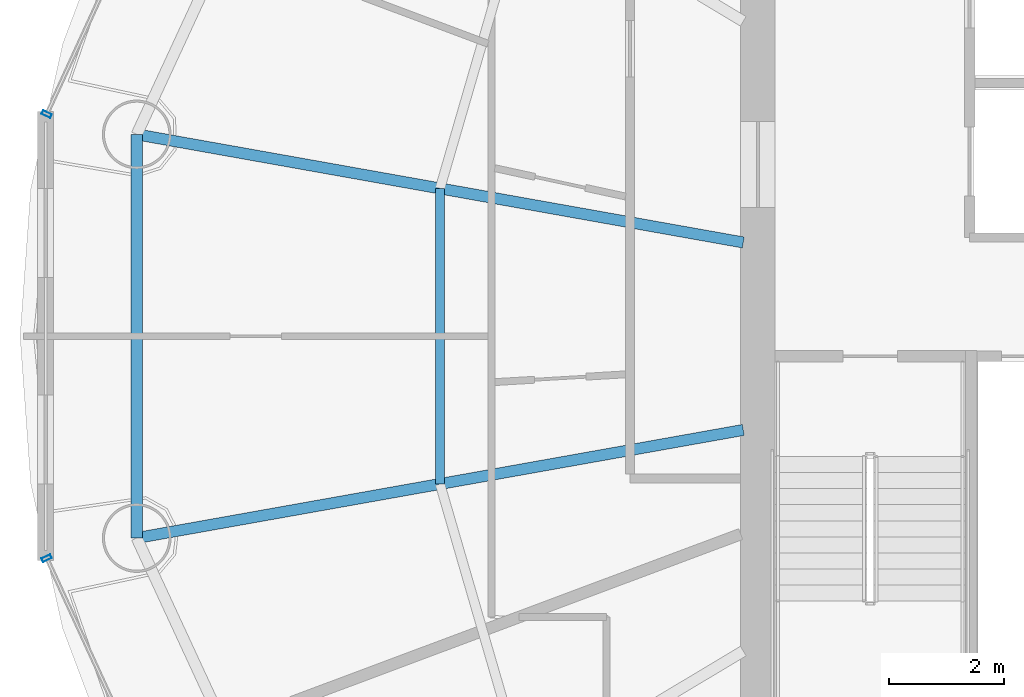
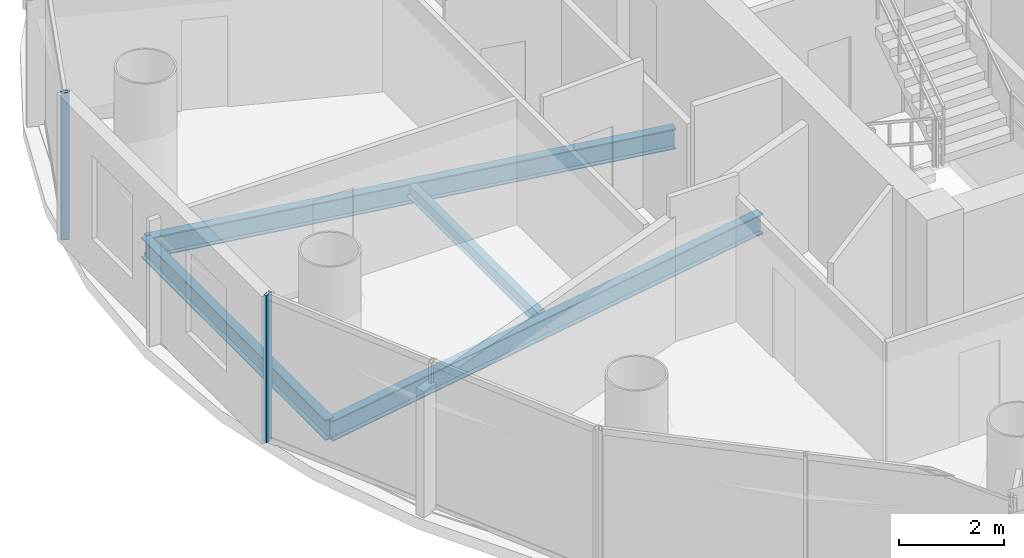
# One storey, part 7 of 26: 4 beams, 2 members, 2 elements without a shape of their own.
"""IFC4 building model written with IfcOpenShell, lengths in metres."""

from ifc_helpers import new_model, si_unit, direction, frame, origin, origin_2d, place, context, subcontext, project, spatial, hollow_rectangle, i_section, extrude, source, transform, mapped, material, material_profile, profile_set, type_object, element, aggregate, save


model = new_model("IFC4")

# Units and contexts
model_context = context("Model", 3, precision=1e-05, world=origin(), true_north=direction((-0.2419218956, 0.970295726276)))
body_context = subcontext(model_context, "Body", "Model", "MODEL_VIEW")
ifc_project = project(units=[si_unit("LENGTHUNIT", "METRE"), si_unit("AREAUNIT", "SQUARE_METRE"), si_unit("VOLUMEUNIT", "CUBIC_METRE"), si_unit("PLANEANGLEUNIT", "RADIAN"), si_unit("MASSUNIT", "GRAM", prefix="KILO")], contexts=[model_context])

# Site, building, storey
site_placement = place(None, origin())
site = spatial("IfcSite", under=ifc_project, at=site_placement, CompositionType="ELEMENT")
building_placement = place(site_placement, origin())
building = spatial("IfcBuilding", under=site, at=building_placement, Name="Cobrevalo Terracotta Tower", CompositionType="ELEMENT")
storey_placement = place(building_placement, frame((0.0, 0.0, 202.300048828125)))
storey = spatial("IfcBuildingStorey", under=building, at=storey_placement, Name="L53", CompositionType="ELEMENT", Elevation=202.300048828125)

# Beams
ifc_material_1 = material(Name="Steel S355", Category="steel")
ifc_material_profile_1 = material_profile(ifc_material_1, i_section(OverallWidth=0.194091796875, OverallDepth=0.468994140625, WebThickness=0.011474609375, FlangeThickness=0.0205078125, at=origin_2d()), Name="W 460x106")
ifc_profile_set_1 = profile_set([ifc_material_profile_1], Name="Steel S355")
beam_type_1 = type_object("IfcBeamType", Name="Structural Beam W 460x106 (Steel S355)", PredefinedType="BEAM", material=ifc_profile_set_1)
for number, where, z_axis, x_axis, name in (
    (1, (18.237060546875, 30.3212890625, -0.49951171875), (0.98449712063, -0.175400739656, 0.0), (0.175400739656, 0.98449712063, 0.0), "L53 radial floor girder 08"),
    (2, (18.237060546875, 23.278564453125, -0.49951171875), (0.984493198547, 0.175422752274, 0.0), (-0.175422752274, 0.984493198547, 0.0), "L53 radial floor girder 09"),
):
    element("IfcBeam", number, at=place(storey_placement, frame(where, z_axis=z_axis, x_axis=x_axis)), inside=storey, type_object=beam_type_1, Name=name, PredefinedType="BEAM", context=body_context, shape_type="SweptSolid", body=[
        extrude(i_section(OverallWidth=0.194091796875, OverallDepth=0.468994140625, WebThickness=0.011474609375, FlangeThickness=0.0205078125, at=origin_2d()), origin(), (0.0, 0.0, 1.0), 10.749755859375),
    ])
ifc_material_profile_2 = material_profile(ifc_material_1, i_section(OverallWidth=0.1650390625, OverallDepth=0.31005859375, WebThickness=0.005859375, FlangeThickness=0.009765625, at=origin_2d()), Name="W 310x38.7")
ifc_profile_set_2 = profile_set([ifc_material_profile_2], Name="Steel S355")
beam_type_2 = type_object("IfcBeamType", Name="Structural Joist W 310x38.7 (Steel S355)", PredefinedType="JOIST", material=ifc_profile_set_2)
beam_1_placement = place(storey_placement, frame((23.528564453125, 29.378662109375, -0.420166015625), z_axis=(0.0, -1.0, 0.0), x_axis=(1.0, 0.0, 0.0)))
element("IfcBeam", 3, at=beam_1_placement, inside=storey, type_object=beam_type_2, Name="L53 circumferential secondary floor joist 08", PredefinedType="JOIST", context=body_context, shape_type="SweptSolid", body=[
    extrude(i_section(OverallWidth=0.1650390625, OverallDepth=0.31005859375, WebThickness=0.005859375, FlangeThickness=0.009765625, at=origin_2d()), origin(), (0.0, 0.0, 1.0), 5.1572265625),
])
ifc_material_profile_3 = material_profile(ifc_material_1, i_section(OverallWidth=0.194091796875, OverallDepth=0.468994140625, WebThickness=0.011474609375, FlangeThickness=0.0205078125, at=origin_2d()), Name="W 460x106")
ifc_profile_set_3 = profile_set([ifc_material_profile_3], Name="Steel S355")
beam_type_3 = type_object("IfcBeamType", Name="Structural Spandrel W 460x106 (Steel S355)", PredefinedType="SPANDREL", material=ifc_profile_set_3)
beam_2_placement = place(storey_placement, frame((18.237060546875, 30.3212890625, -0.49951171875), z_axis=(0.0, -1.0, 0.0), x_axis=(1.0, 0.0, 0.0)))
element("IfcBeam", 4, at=beam_2_placement, inside=storey, type_object=beam_type_3, Name="L53 perimeter ring spandrel 08", PredefinedType="SPANDREL", context=body_context, shape_type="SweptSolid", body=[
    extrude(i_section(OverallWidth=0.194091796875, OverallDepth=0.468994140625, WebThickness=0.011474609375, FlangeThickness=0.0205078125, at=origin_2d()), origin(), (0.0, 0.0, 1.0), 7.042724609375),
])

# Curtain wall, member
ifc_material_2 = material(Name="Anodized aluminium", Category="aluminium")
curtain_wall_type = type_object("IfcCurtainWallType", Name="Mid-tower high-wind unitised curtain wall CW-U2", PredefinedType="NOTDEFINED", material=ifc_material_2)
curtain_wall_1_placement = place(storey_placement, origin())
curtain_wall_1 = element("IfcCurtainWall", 5, at=curtain_wall_1_placement, inside=storey, type_object=curtain_wall_type, Name="L53 curtain wall CW-L53-S07", PredefinedType="NOTDEFINED")
ifc_material_profile_4 = material_profile(ifc_material_2, hollow_rectangle(XDim=0.070068359375, YDim=0.169921875, WallThickness=0.00439453125, at=origin_2d()), Name="CWM 70x170")
ifc_profile_set_4 = profile_set([ifc_material_profile_4], Name="Anodized aluminium")
member_type = type_object("IfcMemberType", Name="Upper tower unitised mullion 70x170", PredefinedType="MULLION", material=ifc_profile_set_4)
shared_shape = source(origin(), body_context, "Body", "SweptSolid", [
    extrude(hollow_rectangle(XDim=0.070068359375, YDim=0.169921875, WallThickness=0.00439453125, at=origin_2d()), origin(), (0.0, 0.0, 1.0), 3.43505859375),
])
member_1_placement = place(storey_placement, frame((16.6650390625, 30.673828125, 0.0), z_axis=(0.0, 0.0, 1.0), x_axis=(-0.41672507912, -0.909032567311, 0.0)))
member_1 = element("IfcMember", 6, at=member_1_placement, type_object=member_type, Name="CW-L53-S07 vertical mullion 03", PredefinedType="MULLION", context=body_context, shape_type="MappedRepresentation", body=[
    mapped(shared_shape, transform((0.0, 0.0, 0.0), scale=1.0)),
])
aggregate(curtain_wall_1, [member_1])

curtain_wall_2_placement = place(storey_placement, origin())
curtain_wall_2 = element("IfcCurtainWall", 7, at=curtain_wall_2_placement, inside=storey, type_object=curtain_wall_type, Name="L53 curtain wall CW-L53-S09", PredefinedType="NOTDEFINED")
member_2_placement = place(storey_placement, frame((16.6650390625, 22.92626953125, 0.0), z_axis=(0.0, 0.0, 1.0), x_axis=(0.41672507912, -0.909032567311, 0.0)))
member_2 = element("IfcMember", 8, at=member_2_placement, type_object=member_type, Name="CW-L53-S09 vertical mullion 01", PredefinedType="MULLION", context=body_context, shape_type="MappedRepresentation", body=[
    mapped(shared_shape, transform((0.0, 0.0, 0.0), scale=1.0)),
])
aggregate(curtain_wall_2, [member_2])

save(model, "model.ifc")
